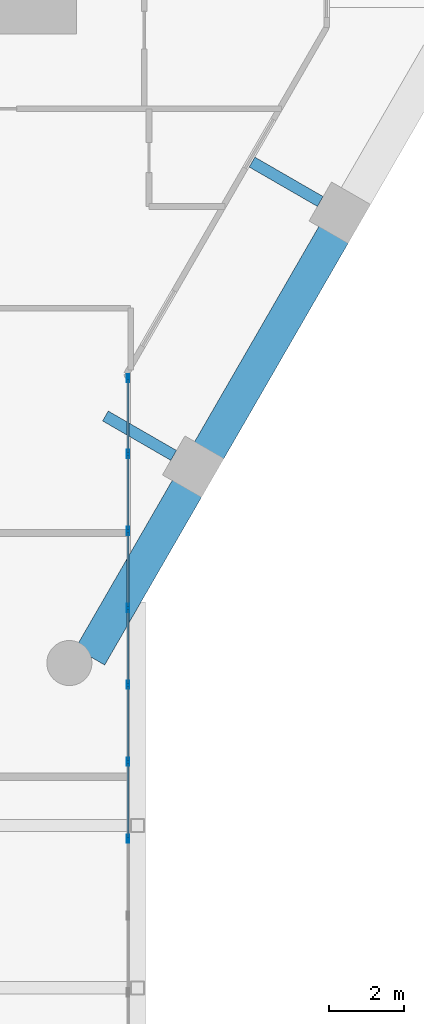
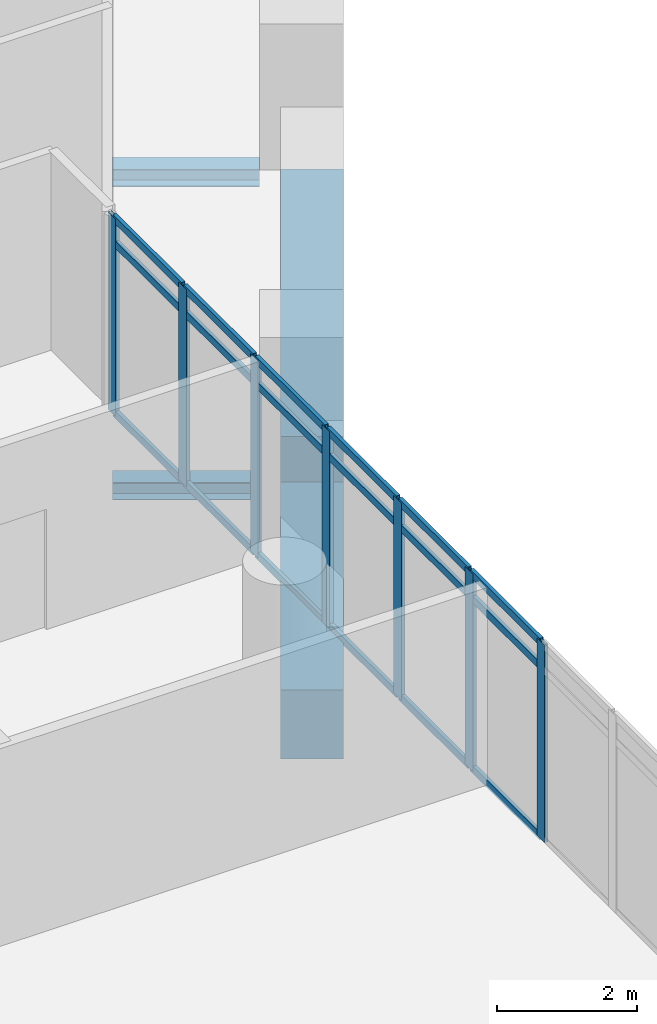
# One storey, part 14 of 37: 25 members, 4 beams, 1 element without a shape of its own.
"""IFC4 building model written with IfcOpenShell, lengths in metres."""

from ifc_helpers import new_model, si_unit, direction, frame, origin, origin_2d, place, context, subcontext, project, spatial, rectangle, hollow_rectangle, i_section, extrude, material, material_profile, profile_set, type_object, element, aggregate, save


model = new_model("IFC4")

# Units and contexts
model_context = context("Model", 3, precision=1e-05, world=origin(), true_north=direction((0.0, 1.0)))
body_context = subcontext(model_context, "Body", "Model", "MODEL_VIEW")
ifc_project = project(units=[si_unit("LENGTHUNIT", "METRE"), si_unit("AREAUNIT", "SQUARE_METRE"), si_unit("VOLUMEUNIT", "CUBIC_METRE"), si_unit("PLANEANGLEUNIT", "RADIAN"), si_unit("MASSUNIT", "GRAM", prefix="KILO")], contexts=[model_context])

# Site, building, storey
site_placement = place(None, origin())
site = spatial("IfcSite", under=ifc_project, at=site_placement, CompositionType="ELEMENT")
building_placement = place(site_placement, origin())
building = spatial("IfcBuilding", under=site, at=building_placement, Name="Ostrander Bayou Hotel Tower", CompositionType="ELEMENT")
storey_placement = place(building_placement, frame((0.0, 0.0, 131.0)))
storey = spatial("IfcBuildingStorey", under=building, at=storey_placement, Name="L32", CompositionType="ELEMENT", Elevation=131.0)

# Curtain wall, members
ifc_material_1 = material(Name="Aluminium and clear glass", Category="aluminium")
curtain_wall_type = type_object("IfcCurtainWallType", Name="CW-BAR glazed wall", PredefinedType="NOTDEFINED", material=ifc_material_1)
curtain_wall_placement = place(storey_placement, origin())
curtain_wall = element("IfcCurtainWall", 1, at=curtain_wall_placement, inside=storey, type_object=curtain_wall_type, Name="CW-BAR L32:SB3S:W", PredefinedType="NOTDEFINED")
ifc_material_2 = material(Name="Aluminium", Category="aluminium")
ifc_material_profile_1 = material_profile(ifc_material_2, hollow_rectangle(XDim=0.06005859375, YDim=0.219970703125, WallThickness=0.00390625, at=origin_2d()))
ifc_profile_set_1 = profile_set([ifc_material_profile_1], Name="Aluminium")
member_type_1 = type_object("IfcMemberType", Name="CW-BR mullion 60 x 220 mm", PredefinedType="MULLION", material=ifc_profile_set_1)
member_1_placement = place(storey_placement, frame((13.3671875, -10.877197265625, 0.0), z_axis=(0.0, 0.0, 1.0), x_axis=(1.0, 0.0, 0.0)))
member_1 = element("IfcMember", 2, at=member_1_placement, type_object=member_type_1, Name="CW-BAR mullion 1", PredefinedType="MULLION", context=body_context, shape_type="SweptSolid", body=[
    extrude(hollow_rectangle(XDim=0.06005859375, YDim=0.219970703125, WallThickness=0.00390625, at=origin_2d()), origin(), (0.0, 0.0, 1.0), 3.449951171875),
])
member_2_placement = place(storey_placement, frame((13.3671875, -12.8974609375, 0.0), z_axis=(0.0, 0.0, 1.0), x_axis=(1.0, 0.0, 0.0)))
member_2 = element("IfcMember", 3, at=member_2_placement, type_object=member_type_1, Name="CW-BAR mullion 2", PredefinedType="MULLION", context=body_context, shape_type="SweptSolid", body=[
    extrude(hollow_rectangle(XDim=0.06005859375, YDim=0.219970703125, WallThickness=0.00390625, at=origin_2d()), origin(), (0.0, 0.0, 1.0), 3.449951171875),
])
member_3_placement = place(storey_placement, frame((13.3671875, -14.947509765625, 0.0), z_axis=(0.0, 0.0, 1.0), x_axis=(1.0, 0.0, 0.0)))
member_3 = element("IfcMember", 4, at=member_3_placement, type_object=member_type_1, Name="CW-BAR mullion 3", PredefinedType="MULLION", context=body_context, shape_type="SweptSolid", body=[
    extrude(hollow_rectangle(XDim=0.06005859375, YDim=0.219970703125, WallThickness=0.00390625, at=origin_2d()), origin(), (0.0, 0.0, 1.0), 3.449951171875),
])
member_4_placement = place(storey_placement, frame((13.3671875, -16.99755859375, 0.0), z_axis=(0.0, 0.0, 1.0), x_axis=(1.0, 0.0, 0.0)))
member_4 = element("IfcMember", 5, at=member_4_placement, type_object=member_type_1, Name="CW-BAR mullion 4", PredefinedType="MULLION", context=body_context, shape_type="SweptSolid", body=[
    extrude(hollow_rectangle(XDim=0.06005859375, YDim=0.219970703125, WallThickness=0.00390625, at=origin_2d()), origin(), (0.0, 0.0, 1.0), 3.449951171875),
])
member_5_placement = place(storey_placement, frame((13.3671875, -19.047607421875, 0.0), z_axis=(0.0, 0.0, 1.0), x_axis=(1.0, 0.0, 0.0)))
member_5 = element("IfcMember", 6, at=member_5_placement, type_object=member_type_1, Name="CW-BAR mullion 5", PredefinedType="MULLION", context=body_context, shape_type="SweptSolid", body=[
    extrude(hollow_rectangle(XDim=0.06005859375, YDim=0.219970703125, WallThickness=0.00390625, at=origin_2d()), origin(), (0.0, 0.0, 1.0), 3.449951171875),
])
member_6_placement = place(storey_placement, frame((13.3671875, -21.09765625, 0.0), z_axis=(0.0, 0.0, 1.0), x_axis=(1.0, 0.0, 0.0)))
member_6 = element("IfcMember", 7, at=member_6_placement, type_object=member_type_1, Name="CW-BAR mullion 6", PredefinedType="MULLION", context=body_context, shape_type="SweptSolid", body=[
    extrude(hollow_rectangle(XDim=0.06005859375, YDim=0.219970703125, WallThickness=0.00390625, at=origin_2d()), origin(), (0.0, 0.0, 1.0), 3.449951171875),
])
member_7_placement = place(storey_placement, frame((13.3671875, -23.147705078125, 0.0), z_axis=(0.0, 0.0, 1.0), x_axis=(1.0, 0.0, 0.0)))
member_7 = element("IfcMember", 8, at=member_7_placement, type_object=member_type_1, Name="CW-BAR mullion 7", PredefinedType="MULLION", context=body_context, shape_type="SweptSolid", body=[
    extrude(hollow_rectangle(XDim=0.06005859375, YDim=0.219970703125, WallThickness=0.00390625, at=origin_2d()), origin(), (0.0, 0.0, 1.0), 3.449951171875),
])
ifc_material_3 = material(Name="Aluminium", Category="aluminium")
ifc_material_profile_2 = material_profile(ifc_material_3, hollow_rectangle(XDim=0.06005859375, YDim=0.1298828125, WallThickness=0.00390625, at=origin_2d()))
ifc_profile_set_2 = profile_set([ifc_material_profile_2], Name="Aluminium")
member_type_2 = type_object("IfcMemberType", Name="CW-BR transom 60 x 130 mm", PredefinedType="USERDEFINED", material=ifc_profile_set_2)
member_8_placement = place(storey_placement, frame((13.3671875, -10.9072265625, 0.030029296875), z_axis=(0.0, -1.0, 0.0), x_axis=(1.0, 0.0, 0.0)))
member_8 = element("IfcMember", 9, at=member_8_placement, type_object=member_type_2, Name="CW-BAR transom 1.1", ObjectType="TRANSOM", PredefinedType="USERDEFINED", context=body_context, shape_type="SweptSolid", body=[
    extrude(hollow_rectangle(XDim=0.06005859375, YDim=0.1298828125, WallThickness=0.00390625, at=origin_2d()), origin(), (0.0, 0.0, 1.0), 1.960205078125),
])
member_9_placement = place(storey_placement, frame((13.3671875, -10.9072265625, 3.0), z_axis=(0.0, -1.0, 0.0), x_axis=(1.0, 0.0, 0.0)))
member_9 = element("IfcMember", 10, at=member_9_placement, type_object=member_type_2, Name="CW-BAR transom 1.2", ObjectType="TRANSOM", PredefinedType="USERDEFINED", context=body_context, shape_type="SweptSolid", body=[
    extrude(hollow_rectangle(XDim=0.06005859375, YDim=0.1298828125, WallThickness=0.00390625, at=origin_2d()), origin(), (0.0, 0.0, 1.0), 1.960205078125),
])
member_10_placement = place(storey_placement, frame((13.3671875, -10.9072265625, 3.419921875), z_axis=(0.0, -1.0, 0.0), x_axis=(1.0, 0.0, 0.0)))
member_10 = element("IfcMember", 11, at=member_10_placement, type_object=member_type_2, Name="CW-BAR transom 1.3", ObjectType="TRANSOM", PredefinedType="USERDEFINED", context=body_context, shape_type="SweptSolid", body=[
    extrude(hollow_rectangle(XDim=0.06005859375, YDim=0.1298828125, WallThickness=0.00390625, at=origin_2d()), origin(), (0.0, 0.0, 1.0), 1.960205078125),
])
member_11_placement = place(storey_placement, frame((13.3671875, -12.92724609375, 0.030029296875), z_axis=(0.0, -1.0, 0.0), x_axis=(1.0, 0.0, 0.0)))
member_11 = element("IfcMember", 12, at=member_11_placement, type_object=member_type_2, Name="CW-BAR transom 2.1", ObjectType="TRANSOM", PredefinedType="USERDEFINED", context=body_context, shape_type="SweptSolid", body=[
    extrude(hollow_rectangle(XDim=0.06005859375, YDim=0.1298828125, WallThickness=0.00390625, at=origin_2d()), origin(), (0.0, 0.0, 1.0), 1.990234375),
])
member_12_placement = place(storey_placement, frame((13.3671875, -12.92724609375, 3.0), z_axis=(0.0, -1.0, 0.0), x_axis=(1.0, 0.0, 0.0)))
member_12 = element("IfcMember", 13, at=member_12_placement, type_object=member_type_2, Name="CW-BAR transom 2.2", ObjectType="TRANSOM", PredefinedType="USERDEFINED", context=body_context, shape_type="SweptSolid", body=[
    extrude(hollow_rectangle(XDim=0.06005859375, YDim=0.1298828125, WallThickness=0.00390625, at=origin_2d()), origin(), (0.0, 0.0, 1.0), 1.990234375),
])
member_13_placement = place(storey_placement, frame((13.3671875, -12.92724609375, 3.419921875), z_axis=(0.0, -1.0, 0.0), x_axis=(1.0, 0.0, 0.0)))
member_13 = element("IfcMember", 14, at=member_13_placement, type_object=member_type_2, Name="CW-BAR transom 2.3", ObjectType="TRANSOM", PredefinedType="USERDEFINED", context=body_context, shape_type="SweptSolid", body=[
    extrude(hollow_rectangle(XDim=0.06005859375, YDim=0.1298828125, WallThickness=0.00390625, at=origin_2d()), origin(), (0.0, 0.0, 1.0), 1.990234375),
])
member_14_placement = place(storey_placement, frame((13.3671875, -14.977294921875, 0.030029296875), z_axis=(0.0, -1.0, 0.0), x_axis=(1.0, 0.0, 0.0)))
member_14 = element("IfcMember", 15, at=member_14_placement, type_object=member_type_2, Name="CW-BAR transom 3.1", ObjectType="TRANSOM", PredefinedType="USERDEFINED", context=body_context, shape_type="SweptSolid", body=[
    extrude(hollow_rectangle(XDim=0.06005859375, YDim=0.1298828125, WallThickness=0.00390625, at=origin_2d()), origin(), (0.0, 0.0, 1.0), 1.990234375),
])
member_15_placement = place(storey_placement, frame((13.3671875, -14.977294921875, 3.0), z_axis=(0.0, -1.0, 0.0), x_axis=(1.0, 0.0, 0.0)))
member_15 = element("IfcMember", 16, at=member_15_placement, type_object=member_type_2, Name="CW-BAR transom 3.2", ObjectType="TRANSOM", PredefinedType="USERDEFINED", context=body_context, shape_type="SweptSolid", body=[
    extrude(hollow_rectangle(XDim=0.06005859375, YDim=0.1298828125, WallThickness=0.00390625, at=origin_2d()), origin(), (0.0, 0.0, 1.0), 1.990234375),
])
member_16_placement = place(storey_placement, frame((13.3671875, -14.977294921875, 3.419921875), z_axis=(0.0, -1.0, 0.0), x_axis=(1.0, 0.0, 0.0)))
member_16 = element("IfcMember", 17, at=member_16_placement, type_object=member_type_2, Name="CW-BAR transom 3.3", ObjectType="TRANSOM", PredefinedType="USERDEFINED", context=body_context, shape_type="SweptSolid", body=[
    extrude(hollow_rectangle(XDim=0.06005859375, YDim=0.1298828125, WallThickness=0.00390625, at=origin_2d()), origin(), (0.0, 0.0, 1.0), 1.990234375),
])
member_17_placement = place(storey_placement, frame((13.3671875, -17.02734375, 0.030029296875), z_axis=(0.0, -1.0, 0.0), x_axis=(1.0, 0.0, 0.0)))
member_17 = element("IfcMember", 18, at=member_17_placement, type_object=member_type_2, Name="CW-BAR transom 4.1", ObjectType="TRANSOM", PredefinedType="USERDEFINED", context=body_context, shape_type="SweptSolid", body=[
    extrude(hollow_rectangle(XDim=0.06005859375, YDim=0.1298828125, WallThickness=0.00390625, at=origin_2d()), origin(), (0.0, 0.0, 1.0), 1.990234375),
])
member_18_placement = place(storey_placement, frame((13.3671875, -17.02734375, 3.0), z_axis=(0.0, -1.0, 0.0), x_axis=(1.0, 0.0, 0.0)))
member_18 = element("IfcMember", 19, at=member_18_placement, type_object=member_type_2, Name="CW-BAR transom 4.2", ObjectType="TRANSOM", PredefinedType="USERDEFINED", context=body_context, shape_type="SweptSolid", body=[
    extrude(hollow_rectangle(XDim=0.06005859375, YDim=0.1298828125, WallThickness=0.00390625, at=origin_2d()), origin(), (0.0, 0.0, 1.0), 1.990234375),
])
member_19_placement = place(storey_placement, frame((13.3671875, -17.02734375, 3.419921875), z_axis=(0.0, -1.0, 0.0), x_axis=(1.0, 0.0, 0.0)))
member_19 = element("IfcMember", 20, at=member_19_placement, type_object=member_type_2, Name="CW-BAR transom 4.3", ObjectType="TRANSOM", PredefinedType="USERDEFINED", context=body_context, shape_type="SweptSolid", body=[
    extrude(hollow_rectangle(XDim=0.06005859375, YDim=0.1298828125, WallThickness=0.00390625, at=origin_2d()), origin(), (0.0, 0.0, 1.0), 1.990234375),
])
member_20_placement = place(storey_placement, frame((13.3671875, -19.077392578125, 0.030029296875), z_axis=(0.0, -1.0, 0.0), x_axis=(1.0, 0.0, 0.0)))
member_20 = element("IfcMember", 21, at=member_20_placement, type_object=member_type_2, Name="CW-BAR transom 5.1", ObjectType="TRANSOM", PredefinedType="USERDEFINED", context=body_context, shape_type="SweptSolid", body=[
    extrude(hollow_rectangle(XDim=0.06005859375, YDim=0.1298828125, WallThickness=0.00390625, at=origin_2d()), origin(), (0.0, 0.0, 1.0), 1.990234375),
])
member_21_placement = place(storey_placement, frame((13.3671875, -19.077392578125, 3.0), z_axis=(0.0, -1.0, 0.0), x_axis=(1.0, 0.0, 0.0)))
member_21 = element("IfcMember", 22, at=member_21_placement, type_object=member_type_2, Name="CW-BAR transom 5.2", ObjectType="TRANSOM", PredefinedType="USERDEFINED", context=body_context, shape_type="SweptSolid", body=[
    extrude(hollow_rectangle(XDim=0.06005859375, YDim=0.1298828125, WallThickness=0.00390625, at=origin_2d()), origin(), (0.0, 0.0, 1.0), 1.990234375),
])
member_22_placement = place(storey_placement, frame((13.3671875, -19.077392578125, 3.419921875), z_axis=(0.0, -1.0, 0.0), x_axis=(1.0, 0.0, 0.0)))
member_22 = element("IfcMember", 23, at=member_22_placement, type_object=member_type_2, Name="CW-BAR transom 5.3", ObjectType="TRANSOM", PredefinedType="USERDEFINED", context=body_context, shape_type="SweptSolid", body=[
    extrude(hollow_rectangle(XDim=0.06005859375, YDim=0.1298828125, WallThickness=0.00390625, at=origin_2d()), origin(), (0.0, 0.0, 1.0), 1.990234375),
])
member_23_placement = place(storey_placement, frame((13.3671875, -21.12744140625, 0.030029296875), z_axis=(0.0, -1.0, 0.0), x_axis=(1.0, 0.0, 0.0)))
member_23 = element("IfcMember", 24, at=member_23_placement, type_object=member_type_2, Name="CW-BAR transom 6.1", ObjectType="TRANSOM", PredefinedType="USERDEFINED", context=body_context, shape_type="SweptSolid", body=[
    extrude(hollow_rectangle(XDim=0.06005859375, YDim=0.1298828125, WallThickness=0.00390625, at=origin_2d()), origin(), (0.0, 0.0, 1.0), 1.990234375),
])
member_24_placement = place(storey_placement, frame((13.3671875, -21.12744140625, 3.0), z_axis=(0.0, -1.0, 0.0), x_axis=(1.0, 0.0, 0.0)))
member_24 = element("IfcMember", 25, at=member_24_placement, type_object=member_type_2, Name="CW-BAR transom 6.2", ObjectType="TRANSOM", PredefinedType="USERDEFINED", context=body_context, shape_type="SweptSolid", body=[
    extrude(hollow_rectangle(XDim=0.06005859375, YDim=0.1298828125, WallThickness=0.00390625, at=origin_2d()), origin(), (0.0, 0.0, 1.0), 1.990234375),
])
member_25_placement = place(storey_placement, frame((13.3671875, -21.12744140625, 3.419921875), z_axis=(0.0, -1.0, 0.0), x_axis=(1.0, 0.0, 0.0)))
member_25 = element("IfcMember", 26, at=member_25_placement, type_object=member_type_2, Name="CW-BAR transom 6.3", ObjectType="TRANSOM", PredefinedType="USERDEFINED", context=body_context, shape_type="SweptSolid", body=[
    extrude(hollow_rectangle(XDim=0.06005859375, YDim=0.1298828125, WallThickness=0.00390625, at=origin_2d()), origin(), (0.0, 0.0, 1.0), 1.990234375),
])
aggregate(curtain_wall, [member_1, member_2, member_3, member_4, member_5, member_6, member_7, member_8, member_9, member_10, member_11, member_12, member_13, member_14, member_15, member_16, member_17, member_18, member_19, member_20, member_21, member_22, member_23, member_24, member_25])

# Beams
ifc_material_4 = material(Name="Steel ASTM A992", Category="steel")
ifc_material_profile_3 = material_profile(ifc_material_4, i_section(OverallWidth=0.3046875, OverallDepth=0.307861328125, WebThickness=0.010009765625, FlangeThickness=0.015380859375, at=origin_2d()))
ifc_profile_set_3 = profile_set([ifc_material_profile_3], Name="Steel ASTM A992")
beam_type_1 = type_object("IfcBeamType", Name="LB1 loggia bracket W12x65", PredefinedType="BEAM", material=ifc_profile_set_3)
for number, where, z_axis, x_axis, name in (
    (27, (14.587646484375, -12.933349609375, -0.453857421875), (-0.866009402589, 0.500027713859, 0.0), (-0.500027713859, -0.866009402589, 0.0), "LB1 L32 SE1"),
    (28, (18.494384765625, -6.166748046875, -0.453857421875), (-0.866009402589, 0.500027713859, 0.0), (-0.500027713859, -0.866009402589, 0.0), "LB1 L32 SE2"),
):
    element("IfcBeam", number, at=place(storey_placement, frame(where, z_axis=z_axis, x_axis=x_axis)), inside=storey, type_object=beam_type_1, Name=name, PredefinedType="BEAM", context=body_context, shape_type="SweptSolid", body=[
        extrude(i_section(OverallWidth=0.3046875, OverallDepth=0.307861328125, WebThickness=0.010009765625, FlangeThickness=0.015380859375, at=origin_2d()), origin(), (0.0, 0.0, 1.0), 2.10009765625),
    ])
ifc_material_5 = material(Name="Concrete f'c 70 MPa", Category="concrete")
ifc_material_profile_4 = material_profile(ifc_material_5, rectangle(XDim=0.89990234375, YDim=1.199951171875, at=origin_2d()))
ifc_profile_set_4 = profile_set([ifc_material_profile_4], Name="Concrete f'c 70 MPa")
beam_type_2 = type_object("IfcBeamType", Name="SP2 spandrel beam 900 x 1200 mm f'c 70 MPa", PredefinedType="SPANDREL", material=ifc_profile_set_4)
beam_1_placement = place(storey_placement, frame((12.35888671875, -18.293701171875, -0.60009765625), z_axis=(0.499996813733, 0.866027243369, 0.0), x_axis=(-0.866027243369, 0.499996813733, 0.0)))
element("IfcBeam", 29, at=beam_1_placement, inside=storey, type_object=beam_type_2, Name="SP2 L32 SE-1", PredefinedType="SPANDREL", context=body_context, shape_type="SweptSolid", body=[
    extrude(rectangle(XDim=0.89990234375, YDim=1.199951171875, at=origin_2d()), origin(), (0.0, 0.0, 1.0), 5.1865234375),
])
beam_2_placement = place(storey_placement, frame((15.522216796875, -12.814697265625, -0.60009765625), z_axis=(0.499999023957, 0.866025967302, 0.0), x_axis=(-0.866025967302, 0.499999023957, 0.0)))
element("IfcBeam", 30, at=beam_2_placement, inside=storey, type_object=beam_type_2, Name="SP2 L32 SE-2", PredefinedType="SPANDREL", context=body_context, shape_type="SweptSolid", body=[
    extrude(rectangle(XDim=0.89990234375, YDim=1.199951171875, at=origin_2d()), origin(), (0.0, 0.0, 1.0), 6.67333984375),
])

save(model, "model.ifc")
